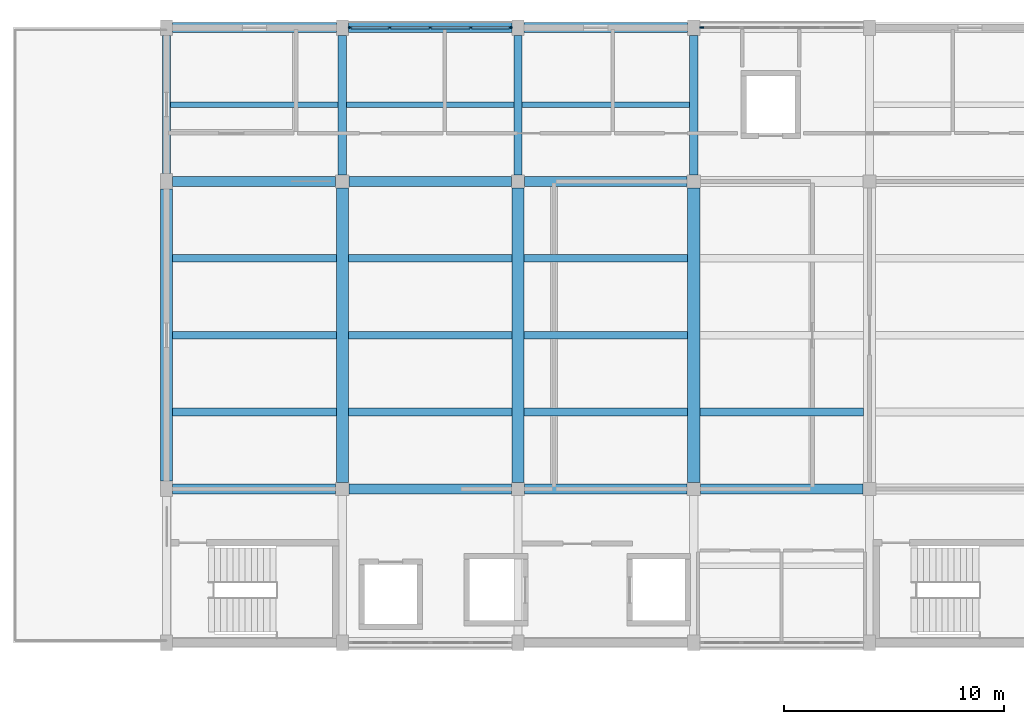
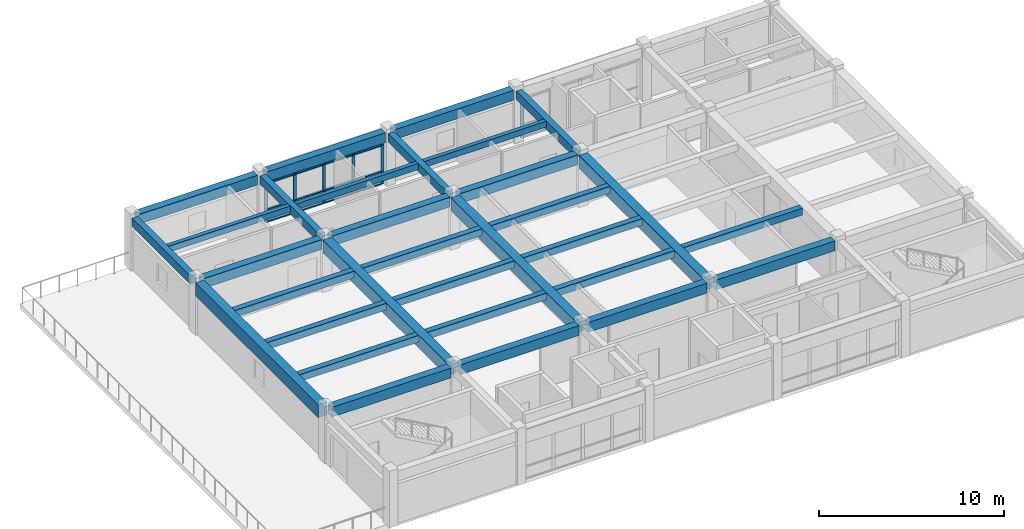
# One storey, part 3 of 10: 31 beams, 18 members, 2 elements without a shape of their own.
"""IFC4 building model written with IfcOpenShell, lengths in metres."""

from ifc_helpers import new_model, si_unit, direction, frame, origin, origin_2d, place, context, subcontext, project, spatial, rectangle, extrude, material, layer, layer_set, material_profile, profile_set, type_object, element, aggregate, save


model = new_model("IFC4")

# Units and contexts
model_context = context("Model", 3, precision=1e-05, world=origin(), true_north=direction((0.0, 1.0)))
body_context = subcontext(model_context, "Body", "Model", "MODEL_VIEW")
ifc_project = project(units=[si_unit("LENGTHUNIT", "METRE"), si_unit("AREAUNIT", "SQUARE_METRE"), si_unit("VOLUMEUNIT", "CUBIC_METRE"), si_unit("PLANEANGLEUNIT", "RADIAN"), si_unit("MASSUNIT", "GRAM", prefix="KILO")], contexts=[model_context])

# Site, building, storey
site_placement = place(None, origin())
site = spatial("IfcSite", under=ifc_project, at=site_placement, CompositionType="ELEMENT")
building_placement = place(site_placement, origin())
building = spatial("IfcBuilding", under=site, at=building_placement, Name="Naurynzar Civic Courthouse", CompositionType="ELEMENT")
storey_placement = place(building_placement, frame((0.0, 0.0, 33.300048828125)))
storey = spatial("IfcBuildingStorey", under=building, at=storey_placement, Name="L09", CompositionType="ELEMENT", Elevation=33.300048828125)

# Beams
ifc_material_1 = material(Name="Concrete C40/50", Category="concrete")
ifc_material_profile_1 = material_profile(ifc_material_1, rectangle(XDim=0.25, YDim=0.39990234375, at=origin_2d()), Name="RCB 250x400")
ifc_profile_set_1 = profile_set([ifc_material_profile_1], Name="Concrete C40/50")
beam_type_1 = type_object("IfcBeamType", Name="BM-JST-250x400", PredefinedType="JOIST", material=ifc_profile_set_1)
for number, where, z_axis, x_axis, name in (
    (1, (69.1875, 68.5, 3.27001953125), (1.0, 0.0, 0.0), (0.0, 1.0, 0.0), "V2 secondary rib 1124 L09"),
    (2, (77.1875, 68.5, 3.27001953125), (1.0, 0.0, 0.0), (0.0, 1.0, 0.0), "V2 secondary rib 1125 L09"),
    (3, (85.1875, 68.5, 3.27001953125), (1.0, 0.0, 0.0), (0.0, 1.0, 0.0), "V2 secondary rib 1126 L09"),
):
    element("IfcBeam", number, at=place(storey_placement, frame(where, z_axis=z_axis, x_axis=x_axis)), inside=storey, type_object=beam_type_1, Name=name, PredefinedType="JOIST", context=body_context, shape_type="SweptSolid", body=[
        extrude(rectangle(XDim=0.25, YDim=0.39990234375, at=origin_2d()), origin(), (0.0, 0.0, 1.0), 7.625),
    ])
ifc_material_2 = material(Name="Concrete C40/50", Category="concrete")
ifc_material_profile_2 = material_profile(ifc_material_2, rectangle(XDim=0.550048828125, YDim=0.85009765625, at=origin_2d()), Name="PTB 550x850")
ifc_profile_set_2 = profile_set([ifc_material_profile_2], Name="Concrete C40/50")
beam_type_2 = type_object("IfcBeamType", Name="BM-PT-550x850", PredefinedType="T_BEAM", material=ifc_profile_set_2)
beam_1_placement = place(storey_placement, frame((69.0, 51.35009765625, 3.044921875), z_axis=(0.0, 1.0, 0.0), x_axis=(-1.0, 0.0, 0.0)))
element("IfcBeam", 4, at=beam_1_placement, inside=storey, type_object=beam_type_2, Name="V2 girder Y-1091 L09", PredefinedType="T_BEAM", context=body_context, shape_type="SweptSolid", body=[
    extrude(rectangle(XDim=0.550048828125, YDim=0.85009765625, at=origin_2d()), origin(), (0.0, 0.0, 1.0), 13.2998046875),
])
for number, where, z_axis, x_axis, name in (
    (5, (77.0, 51.300048828125, 3.044921875), (0.0, 1.0, 0.0), (-1.0, 0.0, 0.0), "V2 girder Y-1094 L09"),
    (6, (85.0, 51.300048828125, 3.044921875), (0.0, 1.0, 0.0), (-1.0, 0.0, 0.0), "V2 girder Y-1097 L09"),
    (7, (93.0, 51.300048828125, 3.044921875), (0.0, 1.0, 0.0), (-1.0, 0.0, 0.0), "V2 girder Y-1100 L09"),
):
    element("IfcBeam", number, at=place(storey_placement, frame(where, z_axis=z_axis, x_axis=x_axis)), inside=storey, type_object=beam_type_2, Name=name, PredefinedType="T_BEAM", context=body_context, shape_type="SweptSolid", body=[
        extrude(rectangle(XDim=0.550048828125, YDim=0.85009765625, at=origin_2d()), origin(), (0.0, 0.0, 1.0), 13.39990234375),
    ])
ifc_material_3 = material(Name="Concrete C40/50", Category="concrete")
ifc_material_profile_3 = material_profile(ifc_material_3, rectangle(XDim=0.35009765625, YDim=0.449951171875, at=origin_2d()), Name="RCB 350x450")
ifc_profile_set_3 = profile_set([ifc_material_profile_3], Name="Concrete C40/50")
beam_type_3 = type_object("IfcBeamType", Name="BM-RC-350x450", PredefinedType="BEAM", material=ifc_profile_set_3)
for number, where, z_axis, x_axis, name in (
    (8, (69.27490234375, 54.5, 3.244873046875), (1.0, 0.0, 0.0), (0.0, 1.0, 0.0), "V2 secondary rib 1109 L09"),
    (9, (69.27490234375, 58.0, 3.244873046875), (1.0, 0.0, 0.0), (0.0, 1.0, 0.0), "V2 secondary rib 1110 L09"),
    (10, (69.27490234375, 61.5, 3.244873046875), (1.0, 0.0, 0.0), (0.0, 1.0, 0.0), "V2 secondary rib 1111 L09"),
    (11, (77.27490234375, 54.5, 3.244873046875), (1.0, 0.0, 0.0), (0.0, 1.0, 0.0), "V2 secondary rib 1112 L09"),
    (12, (77.27490234375, 58.0, 3.244873046875), (1.0, 0.0, 0.0), (0.0, 1.0, 0.0), "V2 secondary rib 1113 L09"),
    (13, (77.27490234375, 61.5, 3.244873046875), (1.0, 0.0, 0.0), (0.0, 1.0, 0.0), "V2 secondary rib 1114 L09"),
    (14, (85.27490234375, 54.5, 3.244873046875), (1.0, 0.0, 0.0), (0.0, 1.0, 0.0), "V2 secondary rib 1115 L09"),
    (15, (85.27490234375, 58.0, 3.244873046875), (1.0, 0.0, 0.0), (0.0, 1.0, 0.0), "V2 secondary rib 1116 L09"),
    (16, (85.27490234375, 61.5, 3.244873046875), (1.0, 0.0, 0.0), (0.0, 1.0, 0.0), "V2 secondary rib 1117 L09"),
    (17, (93.27490234375, 54.5, 3.244873046875), (1.0, 0.0, 0.0), (0.0, 1.0, 0.0), "V2 secondary rib 1118 L09"),
):
    element("IfcBeam", number, at=place(storey_placement, frame(where, z_axis=z_axis, x_axis=x_axis)), inside=storey, type_object=beam_type_3, Name=name, PredefinedType="BEAM", context=body_context, shape_type="SweptSolid", body=[
        extrude(rectangle(XDim=0.35009765625, YDim=0.449951171875, at=origin_2d()), origin(), (0.0, 0.0, 1.0), 7.4501953125),
    ])
ifc_material_4 = material(Name="Concrete C40/50", Category="concrete")
ifc_material_profile_4 = material_profile(ifc_material_4, rectangle(XDim=0.375, YDim=0.550048828125, at=origin_2d()), Name="RCB 375x550")
ifc_profile_set_4 = profile_set([ifc_material_profile_4], Name="Concrete C40/50")
beam_type_4 = type_object("IfcBeamType", Name="BM-RC-375x550", PredefinedType="BEAM", material=ifc_profile_set_4)
beam_2_placement = place(storey_placement, frame((69.0, 65.35009765625, 3.195068359375), z_axis=(0.0, 1.0, 0.0), x_axis=(-1.0, 0.0, 0.0)))
element("IfcBeam", 18, at=beam_2_placement, inside=storey, type_object=beam_type_4, Name="V2 girder Y-1092 L09", PredefinedType="BEAM", context=body_context, shape_type="SweptSolid", body=[
    extrude(rectangle(XDim=0.375, YDim=0.550048828125, at=origin_2d()), origin(), (0.0, 0.0, 1.0), 6.2998046875),
])
for number, where, z_axis, x_axis, name in (
    (19, (77.0, 65.300048828125, 3.195068359375), (0.0, 1.0, 0.0), (-1.0, 0.0, 0.0), "V2 girder Y-1095 L09"),
    (20, (85.0, 65.300048828125, 3.195068359375), (0.0, 1.0, 0.0), (-1.0, 0.0, 0.0), "V2 girder Y-1098 L09"),
    (21, (93.0, 65.300048828125, 3.195068359375), (0.0, 1.0, 0.0), (-1.0, 0.0, 0.0), "V2 girder Y-1101 L09"),
):
    element("IfcBeam", number, at=place(storey_placement, frame(where, z_axis=z_axis, x_axis=x_axis)), inside=storey, type_object=beam_type_4, Name=name, PredefinedType="BEAM", context=body_context, shape_type="SweptSolid", body=[
        extrude(rectangle(XDim=0.375, YDim=0.550048828125, at=origin_2d()), origin(), (0.0, 0.0, 1.0), 6.349853515625),
    ])
ifc_material_5 = material(Name="Concrete C40/50", Category="concrete")
ifc_material_profile_5 = material_profile(ifc_material_5, rectangle(XDim=0.449951171875, YDim=0.64990234375, at=origin_2d()), Name="RCB 450x650")
ifc_profile_set_5 = profile_set([ifc_material_profile_5], Name="Concrete C40/50")
beam_type_5 = type_object("IfcBeamType", Name="BM-RC-450x650", PredefinedType="BEAM", material=ifc_profile_set_5)
beam_3_placement = place(storey_placement, frame((69.27490234375, 51.0, 3.14501953125), z_axis=(1.0, 0.0, 0.0), x_axis=(0.0, 1.0, 0.0)))
element("IfcBeam", 22, at=beam_3_placement, inside=storey, type_object=beam_type_5, Name="V2 beam X-1075 L09", PredefinedType="BEAM", context=body_context, shape_type="SweptSolid", body=[
    extrude(rectangle(XDim=0.449951171875, YDim=0.64990234375, at=origin_2d()), origin(), (0.0, 0.0, 1.0), 7.425048828125),
])
for number, where, z_axis, x_axis, name in (
    (23, (77.300048828125, 51.0, 3.14501953125), (1.0, 0.0, 0.0), (0.0, 1.0, 0.0), "V2 beam X-1076 L09"),
    (24, (85.300048828125, 51.0, 3.14501953125), (1.0, 0.0, 0.0), (0.0, 1.0, 0.0), "V2 beam X-1077 L09"),
    (25, (93.300048828125, 51.0, 3.14501953125), (1.0, 0.0, 0.0), (0.0, 1.0, 0.0), "V2 beam X-1078 L09"),
):
    element("IfcBeam", number, at=place(storey_placement, frame(where, z_axis=z_axis, x_axis=x_axis)), inside=storey, type_object=beam_type_5, Name=name, PredefinedType="BEAM", context=body_context, shape_type="SweptSolid", body=[
        extrude(rectangle(XDim=0.449951171875, YDim=0.64990234375, at=origin_2d()), origin(), (0.0, 0.0, 1.0), 7.39990234375),
    ])
beam_4_placement = place(storey_placement, frame((69.27490234375, 65.0, 3.14501953125), z_axis=(1.0, 0.0, 0.0), x_axis=(0.0, 1.0, 0.0)))
element("IfcBeam", 26, at=beam_4_placement, inside=storey, type_object=beam_type_5, Name="V2 beam X-1080 L09", PredefinedType="BEAM", context=body_context, shape_type="SweptSolid", body=[
    extrude(rectangle(XDim=0.449951171875, YDim=0.64990234375, at=origin_2d()), origin(), (0.0, 0.0, 1.0), 7.425048828125),
])
for number, where, z_axis, x_axis, name in (
    (27, (77.300048828125, 65.0, 3.14501953125), (1.0, 0.0, 0.0), (0.0, 1.0, 0.0), "V2 beam X-1081 L09"),
    (28, (85.300048828125, 65.0, 3.14501953125), (1.0, 0.0, 0.0), (0.0, 1.0, 0.0), "V2 beam X-1082 L09"),
):
    element("IfcBeam", number, at=place(storey_placement, frame(where, z_axis=z_axis, x_axis=x_axis)), inside=storey, type_object=beam_type_5, Name=name, PredefinedType="BEAM", context=body_context, shape_type="SweptSolid", body=[
        extrude(rectangle(XDim=0.449951171875, YDim=0.64990234375, at=origin_2d()), origin(), (0.0, 0.0, 1.0), 7.39990234375),
    ])
for number, where, z_axis, x_axis, name in (
    (29, (69.27490234375, 72.0, 3.14501953125), (1.0, 0.0, 0.0), (0.0, 1.0, 0.0), "V2 beam X-1085 L09"),
    (30, (77.27490234375, 72.0, 3.14501953125), (1.0, 0.0, 0.0), (0.0, 1.0, 0.0), "V2 beam X-1086 L09"),
    (31, (85.27490234375, 72.0, 3.14501953125), (1.0, 0.0, 0.0), (0.0, 1.0, 0.0), "V2 beam X-1087 L09"),
):
    element("IfcBeam", number, at=place(storey_placement, frame(where, z_axis=z_axis, x_axis=x_axis)), inside=storey, type_object=beam_type_5, Name=name, PredefinedType="BEAM", context=body_context, shape_type="SweptSolid", body=[
        extrude(rectangle(XDim=0.449951171875, YDim=0.64990234375, at=origin_2d()), origin(), (0.0, 0.0, 1.0), 7.4501953125),
    ])

# Curtain wall, members
ifc_material_6 = material(Name="Aluminium 6063-T6", Category="aluminium")
ifc_layer = layer(ifc_material_6, 0.159912109375)
ifc_layer_set = layer_set([ifc_layer], Name="CW-UNIT-1800")
curtain_wall_type = type_object("IfcCurtainWallType", Name="CW-UNIT-1800", PredefinedType="NOTDEFINED", material=ifc_layer_set)
curtain_wall_1_placement = place(storey_placement, origin())
curtain_wall_1 = element("IfcCurtainWall", 32, at=curtain_wall_1_placement, inside=storey, type_object=curtain_wall_type, Name="V2 unitised curtain wall 57 L09", PredefinedType="NOTDEFINED")
ifc_material_7 = material(Name="Aluminium 6063-T6", Category="aluminium")
ifc_material_profile_6 = material_profile(ifc_material_7, rectangle(XDim=0.070068359375, YDim=0.179931640625, at=origin_2d()), Name="ALU MULLION 70x180")
ifc_profile_set_6 = profile_set([ifc_material_profile_6], Name="Aluminium 6063-T6")
member_type_1 = type_object("IfcMemberType", Name="CWM-70x180", PredefinedType="MULLION", material=ifc_profile_set_6)
member_1_placement = place(storey_placement, frame((77.360107421875, 72.0, 0.0), z_axis=(0.0, 0.0, 1.0), x_axis=(0.0, 1.0, 0.0)))
member_1 = element("IfcMember", 33, at=member_1_placement, type_object=member_type_1, Name="CW-02 mullion 1", PredefinedType="MULLION", context=body_context, shape_type="SweptSolid", body=[
    extrude(rectangle(XDim=0.070068359375, YDim=0.179931640625, at=origin_2d()), origin(), (0.0, 0.0, 1.0), 2.599853515625),
])
member_2_placement = place(storey_placement, frame((79.16259765625, 72.0, 0.0), z_axis=(0.0, 0.0, 1.0), x_axis=(0.0, 1.0, 0.0)))
member_2 = element("IfcMember", 34, at=member_2_placement, type_object=member_type_1, Name="CW-02 mullion 2", PredefinedType="MULLION", context=body_context, shape_type="SweptSolid", body=[
    extrude(rectangle(XDim=0.070068359375, YDim=0.179931640625, at=origin_2d()), origin(), (0.0, 0.0, 1.0), 2.599853515625),
])
member_3_placement = place(storey_placement, frame((81.0, 72.0, 0.0), z_axis=(0.0, 0.0, 1.0), x_axis=(0.0, 1.0, 0.0)))
member_3 = element("IfcMember", 35, at=member_3_placement, type_object=member_type_1, Name="CW-02 mullion 3", PredefinedType="MULLION", context=body_context, shape_type="SweptSolid", body=[
    extrude(rectangle(XDim=0.070068359375, YDim=0.179931640625, at=origin_2d()), origin(), (0.0, 0.0, 1.0), 2.599853515625),
])
member_4_placement = place(storey_placement, frame((82.83740234375, 72.0, 0.0), z_axis=(0.0, 0.0, 1.0), x_axis=(0.0, 1.0, 0.0)))
member_4 = element("IfcMember", 36, at=member_4_placement, type_object=member_type_1, Name="CW-02 mullion 4", PredefinedType="MULLION", context=body_context, shape_type="SweptSolid", body=[
    extrude(rectangle(XDim=0.070068359375, YDim=0.179931640625, at=origin_2d()), origin(), (0.0, 0.0, 1.0), 2.599853515625),
])
member_5_placement = place(storey_placement, frame((84.639892578125, 72.0, 0.0), z_axis=(0.0, 0.0, 1.0), x_axis=(0.0, 1.0, 0.0)))
member_5 = element("IfcMember", 37, at=member_5_placement, type_object=member_type_1, Name="CW-02 mullion 5", PredefinedType="MULLION", context=body_context, shape_type="SweptSolid", body=[
    extrude(rectangle(XDim=0.070068359375, YDim=0.179931640625, at=origin_2d()), origin(), (0.0, 0.0, 1.0), 2.599853515625),
])

# Curtain wall, member
curtain_wall_2_placement = place(storey_placement, origin())
curtain_wall_2 = element("IfcCurtainWall", 38, at=curtain_wall_2_placement, inside=storey, type_object=curtain_wall_type, Name="V2 unitised curtain wall 58 L09", PredefinedType="NOTDEFINED")
member_6_placement = place(storey_placement, frame((93.360107421875, 72.0, 0.0), z_axis=(0.0, 0.0, 1.0), x_axis=(0.0, 1.0, 0.0)))
member_6 = element("IfcMember", 39, at=member_6_placement, type_object=member_type_1, Name="CW-02 mullion 1", PredefinedType="MULLION", context=body_context, shape_type="SweptSolid", body=[
    extrude(rectangle(XDim=0.070068359375, YDim=0.179931640625, at=origin_2d()), origin(), (0.0, 0.0, 1.0), 2.599853515625),
])
aggregate(curtain_wall_2, [member_6])

# Member
ifc_material_8 = material(Name="Aluminium 6063-T6", Category="aluminium")
ifc_material_profile_7 = material_profile(ifc_material_8, rectangle(XDim=0.1298828125, YDim=0.070068359375, at=origin_2d()), Name="ALU TRANSOM 70x130")
ifc_profile_set_7 = profile_set([ifc_material_profile_7], Name="Aluminium 6063-T6")
member_type_2 = type_object("IfcMemberType", Name="CWT-70x130", PredefinedType="USERDEFINED", material=ifc_profile_set_7)
member_7_placement = place(storey_placement, frame((77.39501953125, 72.0, 0.034912109375), z_axis=(1.0, 0.0, 0.0), x_axis=(0.0, 1.0, 0.0)))
member_7 = element("IfcMember", 40, at=member_7_placement, type_object=member_type_2, Name="CW-02 transom 1.1", ObjectType="TRANSOM", PredefinedType="USERDEFINED", context=body_context, shape_type="SweptSolid", body=[
    extrude(rectangle(XDim=0.1298828125, YDim=0.070068359375, at=origin_2d()), origin(), (0.0, 0.0, 1.0), 1.732421875),
])

member_8_placement = place(storey_placement, frame((77.39501953125, 72.0, 0.849853515625), z_axis=(1.0, 0.0, 0.0), x_axis=(0.0, 1.0, 0.0)))
member_8 = element("IfcMember", 41, at=member_8_placement, type_object=member_type_2, Name="CW-02 transom 1.2", ObjectType="TRANSOM", PredefinedType="USERDEFINED", context=body_context, shape_type="SweptSolid", body=[
    extrude(rectangle(XDim=0.1298828125, YDim=0.070068359375, at=origin_2d()), origin(), (0.0, 0.0, 1.0), 1.732421875),
])

member_9_placement = place(storey_placement, frame((77.39501953125, 72.0, 2.56494140625), z_axis=(1.0, 0.0, 0.0), x_axis=(0.0, 1.0, 0.0)))
member_9 = element("IfcMember", 42, at=member_9_placement, type_object=member_type_2, Name="CW-02 transom 1.3", ObjectType="TRANSOM", PredefinedType="USERDEFINED", context=body_context, shape_type="SweptSolid", body=[
    extrude(rectangle(XDim=0.1298828125, YDim=0.070068359375, at=origin_2d()), origin(), (0.0, 0.0, 1.0), 1.732421875),
])

member_10_placement = place(storey_placement, frame((79.197509765625, 72.0, 0.034912109375), z_axis=(1.0, 0.0, 0.0), x_axis=(0.0, 1.0, 0.0)))
member_10 = element("IfcMember", 43, at=member_10_placement, type_object=member_type_2, Name="CW-02 transom 2.1", ObjectType="TRANSOM", PredefinedType="USERDEFINED", context=body_context, shape_type="SweptSolid", body=[
    extrude(rectangle(XDim=0.1298828125, YDim=0.070068359375, at=origin_2d()), origin(), (0.0, 0.0, 1.0), 1.767578125),
])

member_11_placement = place(storey_placement, frame((79.197509765625, 72.0, 0.849853515625), z_axis=(1.0, 0.0, 0.0), x_axis=(0.0, 1.0, 0.0)))
member_11 = element("IfcMember", 44, at=member_11_placement, type_object=member_type_2, Name="CW-02 transom 2.2", ObjectType="TRANSOM", PredefinedType="USERDEFINED", context=body_context, shape_type="SweptSolid", body=[
    extrude(rectangle(XDim=0.1298828125, YDim=0.070068359375, at=origin_2d()), origin(), (0.0, 0.0, 1.0), 1.767578125),
])

member_12_placement = place(storey_placement, frame((79.197509765625, 72.0, 2.56494140625), z_axis=(1.0, 0.0, 0.0), x_axis=(0.0, 1.0, 0.0)))
member_12 = element("IfcMember", 45, at=member_12_placement, type_object=member_type_2, Name="CW-02 transom 2.3", ObjectType="TRANSOM", PredefinedType="USERDEFINED", context=body_context, shape_type="SweptSolid", body=[
    extrude(rectangle(XDim=0.1298828125, YDim=0.070068359375, at=origin_2d()), origin(), (0.0, 0.0, 1.0), 1.767578125),
])

member_13_placement = place(storey_placement, frame((81.034912109375, 72.0, 0.034912109375), z_axis=(1.0, 0.0, 0.0), x_axis=(0.0, 1.0, 0.0)))
member_13 = element("IfcMember", 46, at=member_13_placement, type_object=member_type_2, Name="CW-02 transom 3.1", ObjectType="TRANSOM", PredefinedType="USERDEFINED", context=body_context, shape_type="SweptSolid", body=[
    extrude(rectangle(XDim=0.1298828125, YDim=0.070068359375, at=origin_2d()), origin(), (0.0, 0.0, 1.0), 1.767578125),
])

member_14_placement = place(storey_placement, frame((81.034912109375, 72.0, 0.849853515625), z_axis=(1.0, 0.0, 0.0), x_axis=(0.0, 1.0, 0.0)))
member_14 = element("IfcMember", 47, at=member_14_placement, type_object=member_type_2, Name="CW-02 transom 3.2", ObjectType="TRANSOM", PredefinedType="USERDEFINED", context=body_context, shape_type="SweptSolid", body=[
    extrude(rectangle(XDim=0.1298828125, YDim=0.070068359375, at=origin_2d()), origin(), (0.0, 0.0, 1.0), 1.767578125),
])

member_15_placement = place(storey_placement, frame((81.034912109375, 72.0, 2.56494140625), z_axis=(1.0, 0.0, 0.0), x_axis=(0.0, 1.0, 0.0)))
member_15 = element("IfcMember", 48, at=member_15_placement, type_object=member_type_2, Name="CW-02 transom 3.3", ObjectType="TRANSOM", PredefinedType="USERDEFINED", context=body_context, shape_type="SweptSolid", body=[
    extrude(rectangle(XDim=0.1298828125, YDim=0.070068359375, at=origin_2d()), origin(), (0.0, 0.0, 1.0), 1.767578125),
])

member_16_placement = place(storey_placement, frame((82.87255859375, 72.0, 0.034912109375), z_axis=(1.0, 0.0, 0.0), x_axis=(0.0, 1.0, 0.0)))
member_16 = element("IfcMember", 49, at=member_16_placement, type_object=member_type_2, Name="CW-02 transom 4.1", ObjectType="TRANSOM", PredefinedType="USERDEFINED", context=body_context, shape_type="SweptSolid", body=[
    extrude(rectangle(XDim=0.1298828125, YDim=0.070068359375, at=origin_2d()), origin(), (0.0, 0.0, 1.0), 1.732421875),
])

member_17_placement = place(storey_placement, frame((82.87255859375, 72.0, 0.849853515625), z_axis=(1.0, 0.0, 0.0), x_axis=(0.0, 1.0, 0.0)))
member_17 = element("IfcMember", 50, at=member_17_placement, type_object=member_type_2, Name="CW-02 transom 4.2", ObjectType="TRANSOM", PredefinedType="USERDEFINED", context=body_context, shape_type="SweptSolid", body=[
    extrude(rectangle(XDim=0.1298828125, YDim=0.070068359375, at=origin_2d()), origin(), (0.0, 0.0, 1.0), 1.732421875),
])

member_18_placement = place(storey_placement, frame((82.87255859375, 72.0, 2.56494140625), z_axis=(1.0, 0.0, 0.0), x_axis=(0.0, 1.0, 0.0)))
member_18 = element("IfcMember", 51, at=member_18_placement, type_object=member_type_2, Name="CW-02 transom 4.3", ObjectType="TRANSOM", PredefinedType="USERDEFINED", context=body_context, shape_type="SweptSolid", body=[
    extrude(rectangle(XDim=0.1298828125, YDim=0.070068359375, at=origin_2d()), origin(), (0.0, 0.0, 1.0), 1.732421875),
])

aggregate(curtain_wall_1, [member_1, member_2, member_3, member_4, member_5, member_7, member_8, member_9, member_10, member_11, member_12, member_13, member_14, member_15, member_16, member_17, member_18])

save(model, "model.ifc")
